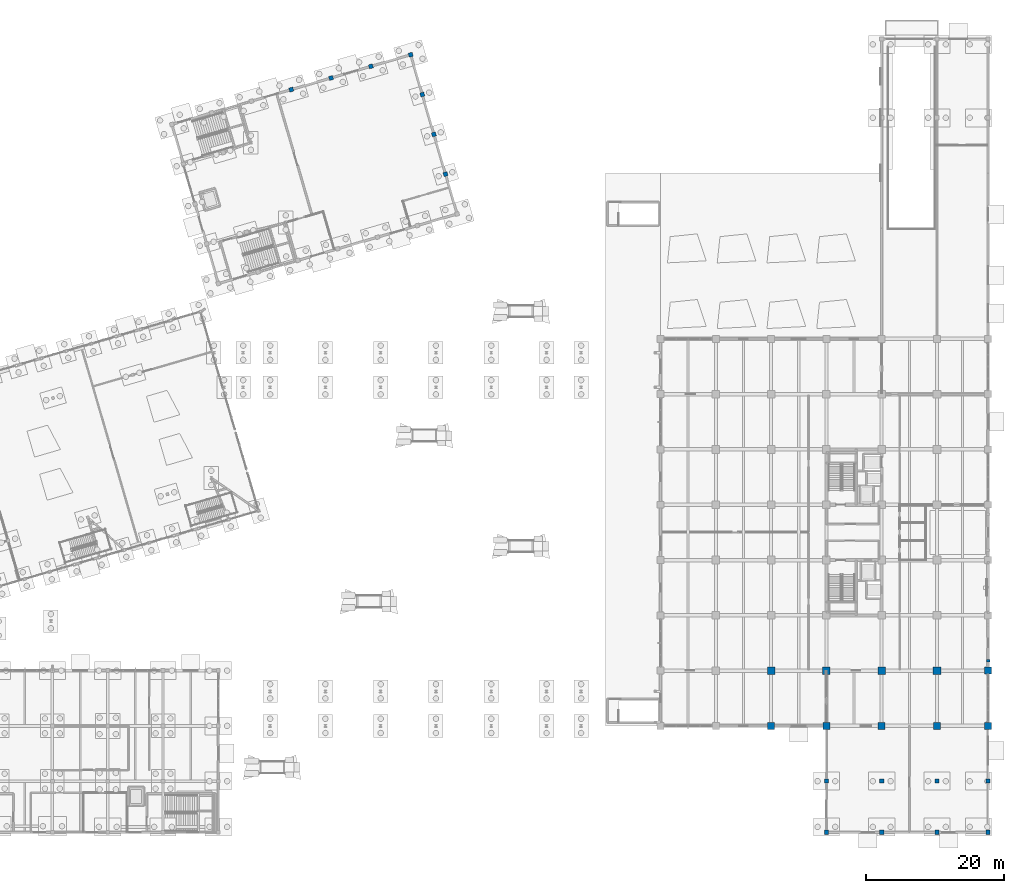
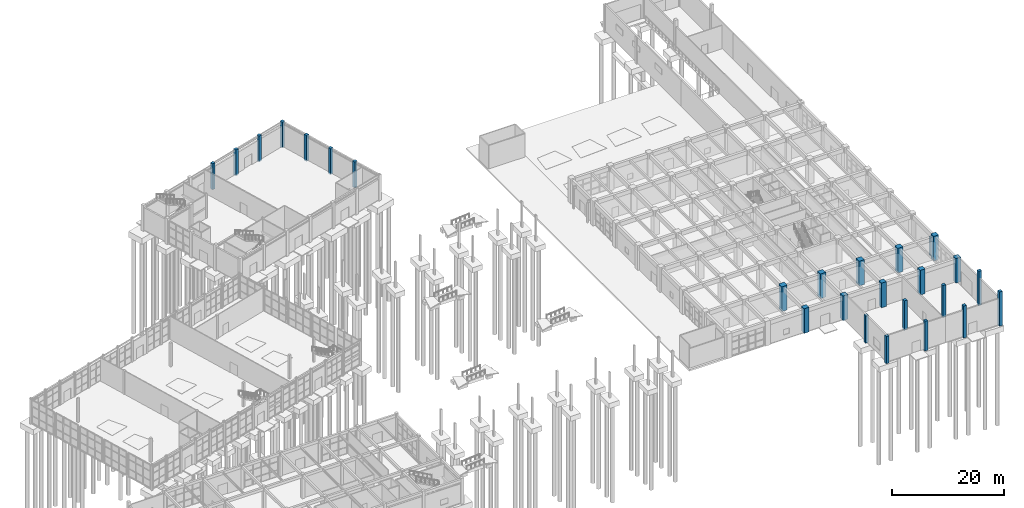
# One storey, part 16 of 90: 26 columns.
"""IFC4 building model written with IfcOpenShell, lengths in metres."""

from ifc_helpers import new_model, si_unit, direction, frame, origin, origin_2d, place, context, subcontext, project, spatial, rectangle, extrude, material, material_profile, profile_set, type_object, element, save


model = new_model("IFC4")

# Units and contexts
model_context = context("Model", 3, precision=1e-05, world=origin(), true_north=direction((0.0, 1.0)))
body_context = subcontext(model_context, "Body", "Model", "MODEL_VIEW")
ifc_project = project(units=[si_unit("LENGTHUNIT", "METRE"), si_unit("AREAUNIT", "SQUARE_METRE"), si_unit("VOLUMEUNIT", "CUBIC_METRE"), si_unit("PLANEANGLEUNIT", "RADIAN"), si_unit("MASSUNIT", "GRAM", prefix="KILO")], contexts=[model_context])

# Site, building, storey
site_placement = place(None, origin())
site = spatial("IfcSite", under=ifc_project, at=site_placement, CompositionType="ELEMENT")
building_placement = place(site_placement, origin())
building = spatial("IfcBuilding", under=site, at=building_placement, Name="Canggui Botanical Conservatory", CompositionType="ELEMENT")
storey_placement = place(building_placement, origin())
storey = spatial("IfcBuildingStorey", under=building, at=storey_placement, Name="L01", CompositionType="ELEMENT", Elevation=0.0)

# Columns
ifc_material_1 = material(Name="Concrete C50", Category="concrete")
ifc_material_profile_1 = material_profile(ifc_material_1, rectangle(XDim=1.10009765625, YDim=1.10009765625, at=origin_2d()), Name="RC 1100x1100")
ifc_profile_set_1 = profile_set([ifc_material_profile_1], Name="Concrete C50")
column_type_1 = type_object("IfcColumnType", Name="COL-KZ01", PredefinedType="COLUMN", material=ifc_profile_set_1)
for number, where, z_axis, x_axis, name in (
    (1, (146.0, 34.0, 0.0), (0.0, 0.0, 1.0), (1.0, 0.0, 0.0), "Tower RC Column L01 (146,34)"),
    (2, (154.0, 34.0, 0.0), (0.0, 0.0, 1.0), (1.0, 0.0, 0.0), "Tower RC Column L01 (154,34)"),
    (3, (162.0, 34.0, 0.0), (0.0, 0.0, 1.0), (1.0, 0.0, 0.0), "Tower RC Column L01 (162,34)"),
    (4, (170.0, 34.0, 0.0), (0.0, 0.0, 1.0), (1.0, 0.0, 0.0), "Tower RC Column L01 (170,34)"),
):
    element("IfcColumn", number, at=place(storey_placement, frame(where, z_axis=z_axis, x_axis=x_axis)), inside=storey, type_object=column_type_1, Name=name, PredefinedType="COLUMN", context=body_context, shape_type="SweptSolid", body=[
        extrude(rectangle(XDim=1.10009765625, YDim=1.10009765625, at=origin_2d()), origin(), (0.0, 0.0, 1.0), 5.39990234375),
    ])
ifc_material_profile_2 = material_profile(ifc_material_1, rectangle(XDim=1.0, YDim=1.0, at=origin_2d()), Name="RC 1000x1000")
ifc_profile_set_2 = profile_set([ifc_material_profile_2], Name="Concrete C50")
column_type_2 = type_object("IfcColumnType", Name="COL-KZ03", PredefinedType="COLUMN", material=ifc_profile_set_2)
for number, where, z_axis, x_axis, name in (
    (5, (146.0, 26.0, 0.0), (0.0, 0.0, 1.0), (1.0, 0.0, 0.0), "Tower RC Column L01 (146,26)"),
    (6, (154.0, 26.0, 0.0), (0.0, 0.0, 1.0), (1.0, 0.0, 0.0), "Tower RC Column L01 (154,26)"),
    (7, (162.0, 26.0, 0.0), (0.0, 0.0, 1.0), (1.0, 0.0, 0.0), "Tower RC Column L01 (162,26)"),
    (8, (170.0, 26.0, 0.0), (0.0, 0.0, 1.0), (1.0, 0.0, 0.0), "Tower RC Column L01 (170,26)"),
    (9, (177.39990234375, 26.0, 0.0), (0.0, 0.0, 1.0), (1.0, 0.0, 0.0), "Tower RC Column L01 (178,26)"),
    (10, (177.39990234375, 34.0, 0.0), (0.0, 0.0, 1.0), (1.0, 0.0, 0.0), "Tower RC Column L01 (178,34)"),
):
    element("IfcColumn", number, at=place(storey_placement, frame(where, z_axis=z_axis, x_axis=x_axis)), inside=storey, type_object=column_type_2, Name=name, PredefinedType="COLUMN", context=body_context, shape_type="SweptSolid", body=[
        extrude(rectangle(XDim=1.0, YDim=1.0, at=origin_2d()), origin(), (0.0, 0.0, 1.0), 5.39990234375),
    ])
ifc_material_2 = material(Name="Concrete C35", Category="concrete")
ifc_material_profile_3 = material_profile(ifc_material_2, rectangle(XDim=0.60009765625, YDim=0.60009765625, at=origin_2d()), Name="RC 600x600")
ifc_profile_set_3 = profile_set([ifc_material_profile_3], Name="Concrete C35")
column_type_3 = type_object("IfcColumnType", Name="COL-KZ11", PredefinedType="COLUMN", material=ifc_profile_set_3)
column_1_placement = place(storey_placement, frame((154.0, 10.60009765625, -0.280029296875), z_axis=(0.0, 0.0, 1.0), x_axis=(1.0, 0.0, 0.0)))
element("IfcColumn", 11, at=column_1_placement, inside=storey, type_object=column_type_3, Name="East Wing RC Column (154,10)", PredefinedType="COLUMN", context=body_context, shape_type="SweptSolid", body=[
    extrude(rectangle(XDim=0.60009765625, YDim=0.60009765625, at=origin_2d()), origin(), (0.0, 0.0, 1.0), 5.949951171875),
])
column_2_placement = place(storey_placement, frame((162.0, 10.60009765625, -0.280029296875), z_axis=(0.0, 0.0, 1.0), x_axis=(1.0, 0.0, 0.0)))
element("IfcColumn", 12, at=column_2_placement, inside=storey, type_object=column_type_3, Name="East Wing RC Column (162,10)", PredefinedType="COLUMN", context=body_context, shape_type="SweptSolid", body=[
    extrude(rectangle(XDim=0.60009765625, YDim=0.60009765625, at=origin_2d()), origin(), (0.0, 0.0, 1.0), 6.4833984375),
])
column_3_placement = place(storey_placement, frame((170.0, 10.60009765625, -0.280029296875), z_axis=(0.0, 0.0, 1.0), x_axis=(1.0, 0.0, 0.0)))
element("IfcColumn", 13, at=column_3_placement, inside=storey, type_object=column_type_3, Name="East Wing RC Column (170,10)", PredefinedType="COLUMN", context=body_context, shape_type="SweptSolid", body=[
    extrude(rectangle(XDim=0.60009765625, YDim=0.60009765625, at=origin_2d()), origin(), (0.0, 0.0, 1.0), 7.016845703125),
])
column_4_placement = place(storey_placement, frame((177.39990234375, 10.60009765625, -0.280029296875), z_axis=(0.0, 0.0, 1.0), x_axis=(1.0, 0.0, 0.0)))
element("IfcColumn", 14, at=column_4_placement, inside=storey, type_object=column_type_3, Name="East Wing RC Column (177,10)", PredefinedType="COLUMN", context=body_context, shape_type="SweptSolid", body=[
    extrude(rectangle(XDim=0.60009765625, YDim=0.60009765625, at=origin_2d()), origin(), (0.0, 0.0, 1.0), 7.510009765625),
])
column_5_placement = place(storey_placement, frame((154.0, 18.0, -0.280029296875), z_axis=(0.0, 0.0, 1.0), x_axis=(1.0, 0.0, 0.0)))
element("IfcColumn", 15, at=column_5_placement, inside=storey, type_object=column_type_3, Name="East Wing RC Column (154,18)", PredefinedType="COLUMN", context=body_context, shape_type="SweptSolid", body=[
    extrude(rectangle(XDim=0.60009765625, YDim=0.60009765625, at=origin_2d()), origin(), (0.0, 0.0, 1.0), 5.949951171875),
])
column_6_placement = place(storey_placement, frame((162.0, 18.0, -0.280029296875), z_axis=(0.0, 0.0, 1.0), x_axis=(1.0, 0.0, 0.0)))
element("IfcColumn", 16, at=column_6_placement, inside=storey, type_object=column_type_3, Name="East Wing RC Column (162,18)", PredefinedType="COLUMN", context=body_context, shape_type="SweptSolid", body=[
    extrude(rectangle(XDim=0.60009765625, YDim=0.60009765625, at=origin_2d()), origin(), (0.0, 0.0, 1.0), 6.4833984375),
])
column_7_placement = place(storey_placement, frame((170.0, 18.0, -0.280029296875), z_axis=(0.0, 0.0, 1.0), x_axis=(1.0, 0.0, 0.0)))
element("IfcColumn", 17, at=column_7_placement, inside=storey, type_object=column_type_3, Name="East Wing RC Column (170,18)", PredefinedType="COLUMN", context=body_context, shape_type="SweptSolid", body=[
    extrude(rectangle(XDim=0.60009765625, YDim=0.60009765625, at=origin_2d()), origin(), (0.0, 0.0, 1.0), 7.016845703125),
])
column_8_placement = place(storey_placement, frame((177.39990234375, 18.0, -0.280029296875), z_axis=(0.0, 0.0, 1.0), x_axis=(1.0, 0.0, 0.0)))
element("IfcColumn", 18, at=column_8_placement, inside=storey, type_object=column_type_3, Name="East Wing RC Column (177,18)", PredefinedType="COLUMN", context=body_context, shape_type="SweptSolid", body=[
    extrude(rectangle(XDim=0.60009765625, YDim=0.60009765625, at=origin_2d()), origin(), (0.0, 0.0, 1.0), 7.510009765625),
])
for number, where, z_axis, x_axis, name in (
    (19, (76.56005859375, 118.080078125, -0.280029296875), (0.0, 0.0, 1.0), (0.960000000041, 0.279999999861, 0.0), "Auditorium Column L01-08"),
    (20, (82.320068359375, 119.760009765625, -0.280029296875), (0.0, 0.0, 1.0), (0.960000000041, 0.279999999861, 0.0), "Auditorium Column L01-10"),
    (21, (88.080078125, 121.43994140625, -0.280029296875), (0.0, 0.0, 1.0), (0.960000000041, 0.279999999861, 0.0), "Auditorium Column L01-12"),
    (22, (93.840087890625, 123.1201171875, -0.280029296875), (0.0, 0.0, 1.0), (0.960000000041, 0.279999999861, 0.0), "Auditorium Column L01-14"),
    (23, (98.8798828125, 105.840087890625, -0.280029296875), (0.0, 0.0, 1.0), (0.960000000041, 0.279999999861, 0.0), "Auditorium Column L01-20"),
    (24, (97.199951171875, 111.60009765625, -0.280029296875), (0.0, 0.0, 1.0), (0.960000000041, 0.279999999861, 0.0), "Auditorium Column L01-21"),
    (25, (95.52001953125, 117.360107421875, -0.280029296875), (0.0, 0.0, 1.0), (0.960000000041, 0.279999999861, 0.0), "Auditorium Column L01-22"),
):
    element("IfcColumn", number, at=place(storey_placement, frame(where, z_axis=z_axis, x_axis=x_axis)), inside=storey, type_object=column_type_3, Name=name, PredefinedType="COLUMN", context=body_context, shape_type="SweptSolid", body=[
        extrude(rectangle(XDim=0.60009765625, YDim=0.60009765625, at=origin_2d()), origin(), (0.0, 0.0, 1.0), 5.679931640625),
    ])
ifc_material_profile_4 = material_profile(ifc_material_2, rectangle(XDim=0.35009765625, YDim=0.5, at=origin_2d()), Name="RC 350x500")
ifc_profile_set_4 = profile_set([ifc_material_profile_4], Name="Concrete C35")
column_type_4 = type_object("IfcColumnType", Name="COL-PIL02", PredefinedType="PILASTER", material=ifc_profile_set_4)
column_9_placement = place(storey_placement, frame((177.39990234375, 35.39990234375, 0.0), z_axis=(0.0, 0.0, 1.0), x_axis=(0.0, 1.0, 0.0)))
element("IfcColumn", 26, at=column_9_placement, inside=storey, type_object=column_type_4, Name="Tower East Colonnade Pilaster L01 BZ-01", PredefinedType="PILASTER", context=body_context, shape_type="SweptSolid", body=[
    extrude(rectangle(XDim=0.35009765625, YDim=0.5, at=origin_2d()), origin(), (0.0, 0.0, 1.0), 4.10009765625),
])

save(model, "model.ifc")
